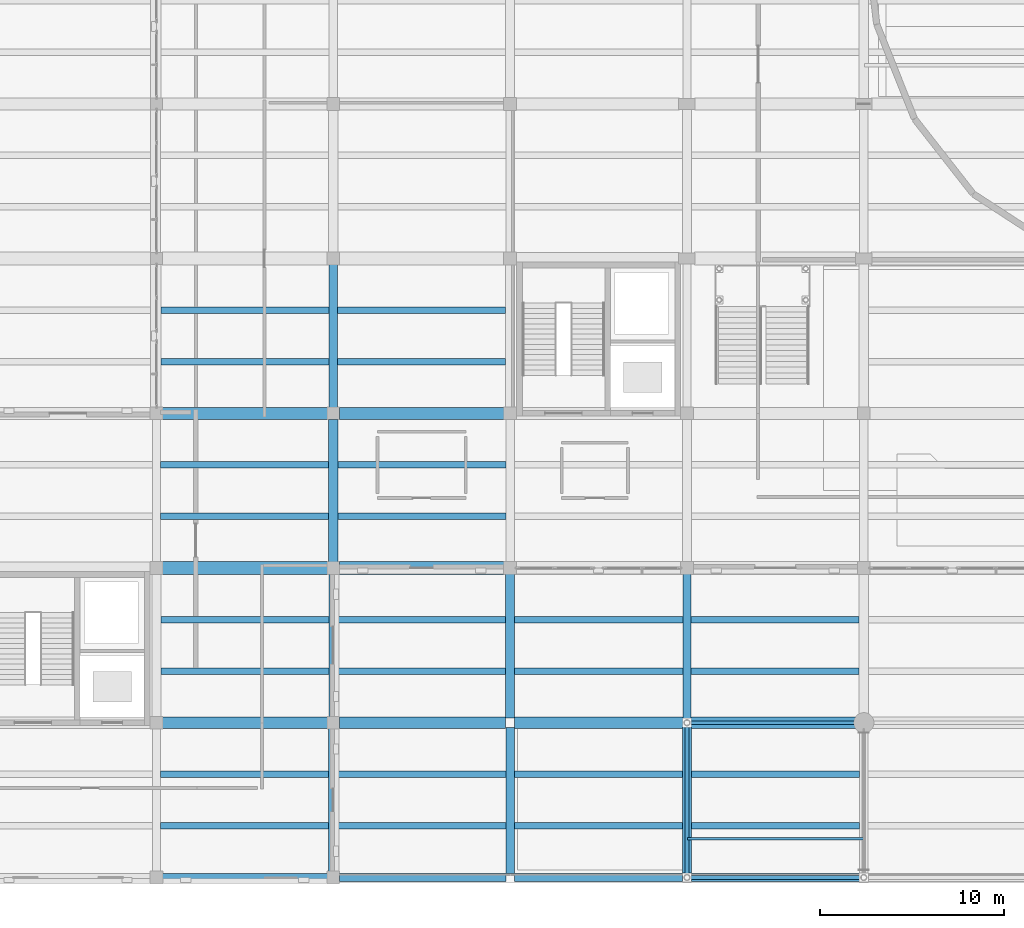
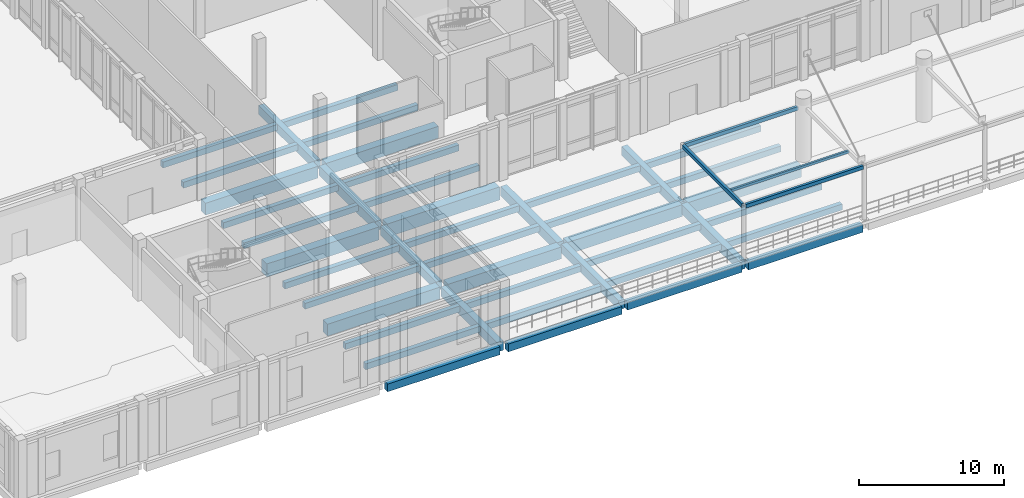
# One storey, part 15 of 71: 48 beams.
"""IFC4 building model written with IfcOpenShell, lengths in metres."""

from ifc_helpers import new_model, si_unit, direction, frame, origin, origin_2d, place, context, subcontext, project, spatial, rectangle, hollow_rectangle, extrude, material, material_profile, profile_set, type_object, element, save


model = new_model("IFC4")

# Units and contexts
model_context = context("Model", 3, precision=1e-05, world=origin(), true_north=direction((0.0, 1.0)))
body_context = subcontext(model_context, "Body", "Model", "MODEL_VIEW")
ifc_project = project(units=[si_unit("LENGTHUNIT", "METRE"), si_unit("AREAUNIT", "SQUARE_METRE"), si_unit("VOLUMEUNIT", "CUBIC_METRE"), si_unit("PLANEANGLEUNIT", "RADIAN"), si_unit("MASSUNIT", "GRAM", prefix="KILO")], contexts=[model_context])

# Site, building, storey
site_placement = place(None, origin())
site = spatial("IfcSite", under=ifc_project, at=site_placement, CompositionType="ELEMENT")
building_placement = place(site_placement, origin())
building = spatial("IfcBuilding", under=site, at=building_placement, Name="Lornevale Opera House", CompositionType="ELEMENT")
storey_placement = place(building_placement, origin())
storey = spatial("IfcBuildingStorey", under=building, at=storey_placement, Name="L01", CompositionType="ELEMENT", Elevation=0.0)

# Beams
ifc_material_1 = material(Name="Structural Steel CSA G40.21 Grade 350W (350 MPa)", Category="steel")
ifc_material_profile_1 = material_profile(ifc_material_1, hollow_rectangle(XDim=0.202880859375, YDim=0.304931640625, WallThickness=0.0126953125, at=origin_2d()), Name="HSS305x203x13")
ifc_profile_set_1 = profile_set([ifc_material_profile_1], Name="Structural Steel CSA G40.21 Grade 350W (350 MPa)")
beam_type_1 = type_object("IfcBeamType", Name="Canopy Edge Beam HSS305x203x13", PredefinedType="SPANDREL", material=ifc_profile_set_1)
beam_1_placement = place(storey_placement, frame((57.60009765625, 0.10009765625, 4.43994140625), z_axis=(0.0, 1.0, 0.0), x_axis=(-1.0, 0.0, 0.0)))
element("IfcBeam", 1, at=beam_1_placement, inside=storey, type_object=beam_type_1, Name="Canopy Edge Beam HSS305x203x13 2939", PredefinedType="SPANDREL", context=body_context, shape_type="SweptSolid", body=[
    extrude(hollow_rectangle(XDim=0.202880859375, YDim=0.304931640625, WallThickness=0.0126953125, at=origin_2d()), origin(), (0.0, 0.0, 1.0), 8.199951171875),
])
beam_2_placement = place(storey_placement, frame((57.719970703125, 0.0, 4.43994140625), z_axis=(1.0, 0.0, 0.0), x_axis=(0.0, 1.0, 0.0)))
element("IfcBeam", 2, at=beam_2_placement, inside=storey, type_object=beam_type_1, Name="Canopy Edge Beam HSS305x203x13 2940", PredefinedType="SPANDREL", context=body_context, shape_type="SweptSolid", body=[
    extrude(hollow_rectangle(XDim=0.202880859375, YDim=0.304931640625, WallThickness=0.0126953125, at=origin_2d()), origin(), (0.0, 0.0, 1.0), 9.360107421875),
])
beam_3_placement = place(storey_placement, frame((57.719970703125, 8.39990234375, 4.43994140625), z_axis=(1.0, 0.0, 0.0), x_axis=(0.0, 1.0, 0.0)))
element("IfcBeam", 3, at=beam_3_placement, inside=storey, type_object=beam_type_1, Name="Canopy Edge Beam HSS305x203x13 2941", PredefinedType="SPANDREL", context=body_context, shape_type="SweptSolid", body=[
    extrude(hollow_rectangle(XDim=0.202880859375, YDim=0.304931640625, WallThickness=0.0126953125, at=origin_2d()), origin(), (0.0, 0.0, 1.0), 9.030029296875),
])
ifc_material_profile_2 = material_profile(ifc_material_1, hollow_rectangle(XDim=0.152099609375, YDim=0.202880859375, WallThickness=0.009521484375, at=origin_2d()), Name="HSS203x152x10")
ifc_profile_set_2 = profile_set([ifc_material_profile_2], Name="Structural Steel CSA G40.21 Grade 350W (350 MPa)")
beam_type_2 = type_object("IfcBeamType", Name="Canopy Purlin HSS203x152x10", PredefinedType="JOIST", material=ifc_profile_set_2)
beam_4_placement = place(storey_placement, frame((57.6201171875, 2.10009765625, 4.43994140625), z_axis=(1.0, 0.0, 0.0), x_axis=(0.0, 1.0, 0.0)))
element("IfcBeam", 4, at=beam_4_placement, inside=storey, type_object=beam_type_2, Name="Canopy Purlin HSS203x152x10 3029", PredefinedType="JOIST", context=body_context, shape_type="SweptSolid", body=[
    extrude(hollow_rectangle(XDim=0.152099609375, YDim=0.202880859375, WallThickness=0.009521484375, at=origin_2d()), origin(), (0.0, 0.0, 1.0), 9.559814453125),
])
ifc_material_2 = material(Name="Concrete 35 MPa (CSA A23.1 N)", Category="concrete")
ifc_material_profile_3 = material_profile(ifc_material_2, rectangle(XDim=0.449951171875, YDim=0.75, at=origin_2d()), Name="RC450x750")
ifc_profile_set_3 = profile_set([ifc_material_profile_3], Name="Concrete 35 MPa (CSA A23.1 N)")
beam_type_3 = type_object("IfcBeamType", Name="Concrete Floor Beam 450x750", PredefinedType="USERDEFINED", material=ifc_profile_set_3)
for number, where, z_axis, x_axis, name in (
    (5, (38.39990234375, 8.72509765625, -0.81494140625), (0.0, 1.0, 0.0), (-1.0, 0.0, 0.0), "Concrete Floor Beam 450x750 1118"),
    (6, (38.39990234375, 25.52490234375, -0.81494140625), (0.0, 1.0, 0.0), (-1.0, 0.0, 0.0), "Concrete Floor Beam 450x750 1120"),
):
    element("IfcBeam", number, at=place(storey_placement, frame(where, z_axis=z_axis, x_axis=x_axis)), inside=storey, type_object=beam_type_3, Name=name, ObjectType="GIRDER", PredefinedType="USERDEFINED", context=body_context, shape_type="SweptSolid", body=[
        extrude(rectangle(XDim=0.449951171875, YDim=0.75, at=origin_2d()), origin(), (0.0, 0.0, 1.0), 7.75),
    ])
beam_5_placement = place(storey_placement, frame((48.0, 0.22509765625, -0.625), z_axis=(0.0, 1.0, 0.0), x_axis=(-1.0, 0.0, 0.0)))
element("IfcBeam", 7, at=beam_5_placement, inside=storey, type_object=beam_type_3, Name="Concrete Floor Beam 450x750 1131", ObjectType="GIRDER", PredefinedType="USERDEFINED", context=body_context, shape_type="SweptSolid", body=[
    extrude(rectangle(XDim=0.449951171875, YDim=0.75, at=origin_2d()), origin(), (0.0, 0.0, 1.0), 7.9248046875),
])
beam_6_placement = place(storey_placement, frame((57.60009765625, 8.625, -0.81494140625), z_axis=(0.0, 1.0, 0.0), x_axis=(-1.0, 0.0, 0.0)))
element("IfcBeam", 8, at=beam_6_placement, inside=storey, type_object=beam_type_3, Name="Concrete Floor Beam 450x750 1146", ObjectType="GIRDER", PredefinedType="USERDEFINED", context=body_context, shape_type="SweptSolid", body=[
    extrude(rectangle(XDim=0.449951171875, YDim=0.75, at=origin_2d()), origin(), (0.0, 0.0, 1.0), 7.85009765625),
])
ifc_material_profile_4 = material_profile(ifc_material_2, rectangle(XDim=0.5, YDim=0.800048828125, at=origin_2d()), Name="RC500x800")
ifc_profile_set_4 = profile_set([ifc_material_profile_4], Name="Concrete 35 MPa (CSA A23.1 N)")
beam_type_4 = type_object("IfcBeamType", Name="Concrete Floor Beam 500x800", PredefinedType="USERDEFINED", material=ifc_profile_set_4)
for number, where, z_axis, x_axis, name in (
    (9, (38.39990234375, 0.324951171875, -0.840087890625), (0.0, 1.0, 0.0), (-1.0, 0.0, 0.0), "Concrete Floor Beam 500x800 1117"),
    (10, (38.39990234375, 17.125, -0.840087890625), (0.0, 1.0, 0.0), (-1.0, 0.0, 0.0), "Concrete Floor Beam 500x800 1119"),
):
    element("IfcBeam", number, at=place(storey_placement, frame(where, z_axis=z_axis, x_axis=x_axis)), inside=storey, type_object=beam_type_4, Name=name, ObjectType="GIRDER", PredefinedType="USERDEFINED", context=body_context, shape_type="SweptSolid", body=[
        extrude(rectangle(XDim=0.5, YDim=0.800048828125, at=origin_2d()), origin(), (0.0, 0.0, 1.0), 7.75),
    ])
beam_7_placement = place(storey_placement, frame((48.0, 8.64990234375, -0.840087890625), z_axis=(0.0, 1.0, 0.0), x_axis=(-1.0, 0.0, 0.0)))
element("IfcBeam", 11, at=beam_7_placement, inside=storey, type_object=beam_type_4, Name="Concrete Floor Beam 500x800 1132", ObjectType="GIRDER", PredefinedType="USERDEFINED", context=body_context, shape_type="SweptSolid", body=[
    extrude(rectangle(XDim=0.5, YDim=0.800048828125, at=origin_2d()), origin(), (0.0, 0.0, 1.0), 7.8251953125),
])
beam_8_placement = place(storey_placement, frame((57.60009765625, 0.25, -0.64990234375), z_axis=(0.0, 1.0, 0.0), x_axis=(-1.0, 0.0, 0.0)))
element("IfcBeam", 12, at=beam_8_placement, inside=storey, type_object=beam_type_4, Name="Concrete Floor Beam 500x800 1145", ObjectType="GIRDER", PredefinedType="USERDEFINED", context=body_context, shape_type="SweptSolid", body=[
    extrude(rectangle(XDim=0.5, YDim=0.800048828125, at=origin_2d()), origin(), (0.0, 0.0, 1.0), 7.925048828125),
])
ifc_material_3 = material(Name="Concrete 40 MPa (CSA A23.1 C-1)", Category="concrete")
ifc_material_profile_5 = material_profile(ifc_material_3, rectangle(XDim=0.64990234375, YDim=1.0, at=origin_2d()), Name="RC650x1000")
ifc_profile_set_5 = profile_set([ifc_material_profile_5], Name="Concrete 40 MPa (CSA A23.1 C-1)")
beam_type_5 = type_object("IfcBeamType", Name="Concrete Primary Girder 650x1000", PredefinedType="USERDEFINED", material=ifc_profile_set_5)
beam_9_placement = place(storey_placement, frame((29.125, 8.39990234375, -0.93994140625), z_axis=(1.0, 0.0, 0.0), x_axis=(0.0, 1.0, 0.0)))
element("IfcBeam", 13, at=beam_9_placement, inside=storey, type_object=beam_type_5, Name="Concrete Primary Girder 650x1000 0859", ObjectType="GIRDER", PredefinedType="USERDEFINED", context=body_context, shape_type="SweptSolid", body=[
    extrude(rectangle(XDim=0.64990234375, YDim=1.0, at=origin_2d()), origin(), (0.0, 0.0, 1.0), 8.949951171875),
])
beam_10_placement = place(storey_placement, frame((38.72509765625, 8.39990234375, -0.93994140625), z_axis=(1.0, 0.0, 0.0), x_axis=(0.0, 1.0, 0.0)))
element("IfcBeam", 14, at=beam_10_placement, inside=storey, type_object=beam_type_5, Name="Concrete Primary Girder 650x1000 0860", ObjectType="GIRDER", PredefinedType="USERDEFINED", context=body_context, shape_type="SweptSolid", body=[
    extrude(rectangle(XDim=0.64990234375, YDim=1.0, at=origin_2d()), origin(), (0.0, 0.0, 1.0), 9.02490234375),
])
beam_11_placement = place(storey_placement, frame((48.25, 8.39990234375, -0.75), z_axis=(1.0, 0.0, 0.0), x_axis=(0.0, 1.0, 0.0)))
element("IfcBeam", 15, at=beam_11_placement, inside=storey, type_object=beam_type_5, Name="Concrete Primary Girder 650x1000 0861", ObjectType="GIRDER", PredefinedType="USERDEFINED", context=body_context, shape_type="SweptSolid", body=[
    extrude(rectangle(XDim=0.64990234375, YDim=1.0, at=origin_2d()), origin(), (0.0, 0.0, 1.0), 9.125),
])
beam_12_placement = place(storey_placement, frame((57.824951171875, 8.39990234375, -0.75), z_axis=(1.0, 0.0, 0.0), x_axis=(0.0, 1.0, 0.0)))
element("IfcBeam", 16, at=beam_12_placement, inside=storey, type_object=beam_type_5, Name="Concrete Primary Girder 650x1000 0862", ObjectType="GIRDER", PredefinedType="USERDEFINED", context=body_context, shape_type="SweptSolid", body=[
    extrude(rectangle(XDim=0.64990234375, YDim=1.0, at=origin_2d()), origin(), (0.0, 0.0, 1.0), 9.050048828125),
])
for number, where, z_axis, x_axis, name in (
    (17, (29.125, 25.199951171875, -0.93994140625), (1.0, 0.0, 0.0), (0.0, 1.0, 0.0), "Concrete Primary Girder 650x1000 0892"),
    (18, (38.72509765625, 25.199951171875, -0.93994140625), (1.0, 0.0, 0.0), (0.0, 1.0, 0.0), "Concrete Primary Girder 650x1000 0893"),
):
    element("IfcBeam", number, at=place(storey_placement, frame(where, z_axis=z_axis, x_axis=x_axis)), inside=storey, type_object=beam_type_5, Name=name, ObjectType="GIRDER", PredefinedType="USERDEFINED", context=body_context, shape_type="SweptSolid", body=[
        extrude(rectangle(XDim=0.64990234375, YDim=1.0, at=origin_2d()), origin(), (0.0, 0.0, 1.0), 8.949951171875),
    ])
ifc_material_profile_6 = material_profile(ifc_material_3, rectangle(XDim=0.699951171875, YDim=1.10009765625, at=origin_2d()), Name="RC700x1100")
ifc_profile_set_6 = profile_set([ifc_material_profile_6], Name="Concrete 40 MPa (CSA A23.1 C-1)")
beam_type_6 = type_object("IfcBeamType", Name="Concrete Primary Girder 700x1100", PredefinedType="USERDEFINED", material=ifc_profile_set_6)
for number, where, z_axis, x_axis, name in (
    (19, (29.125, 16.800048828125, -0.989990234375), (1.0, 0.0, 0.0), (0.0, 1.0, 0.0), "Concrete Primary Girder 700x1100 0875"),
    (20, (38.72509765625, 16.800048828125, -0.989990234375), (1.0, 0.0, 0.0), (0.0, 1.0, 0.0), "Concrete Primary Girder 700x1100 0876"),
):
    element("IfcBeam", number, at=place(storey_placement, frame(where, z_axis=z_axis, x_axis=x_axis)), inside=storey, type_object=beam_type_6, Name=name, ObjectType="GIRDER", PredefinedType="USERDEFINED", context=body_context, shape_type="SweptSolid", body=[
        extrude(rectangle(XDim=0.699951171875, YDim=1.10009765625, at=origin_2d()), origin(), (0.0, 0.0, 1.0), 8.949951171875),
    ])
ifc_material_profile_7 = material_profile(ifc_material_2, rectangle(XDim=0.35009765625, YDim=0.5, at=origin_2d()), Name="RC350x500")
ifc_profile_set_7 = profile_set([ifc_material_profile_7], Name="Concrete 35 MPa (CSA A23.1 N)")
beam_type_7 = type_object("IfcBeamType", Name="Concrete Secondary Rib 350x500", PredefinedType="JOIST", material=ifc_profile_set_7)
for number, where, z_axis, x_axis, name in (
    (21, (29.02490234375, 2.800048828125, -0.68994140625), (1.0, 0.0, 0.0), (0.0, 1.0, 0.0), "Concrete Secondary Rib 350x500 1359"),
    (22, (29.02490234375, 5.60009765625, -0.68994140625), (1.0, 0.0, 0.0), (0.0, 1.0, 0.0), "Concrete Secondary Rib 350x500 1360"),
    (23, (29.050048828125, 11.199951171875, -0.68994140625), (1.0, 0.0, 0.0), (0.0, 1.0, 0.0), "Concrete Secondary Rib 350x500 1361"),
    (24, (29.050048828125, 14.0, -0.68994140625), (1.0, 0.0, 0.0), (0.0, 1.0, 0.0), "Concrete Secondary Rib 350x500 1362"),
    (25, (29.02490234375, 19.60009765625, -0.68994140625), (1.0, 0.0, 0.0), (0.0, 1.0, 0.0), "Concrete Secondary Rib 350x500 1363"),
    (26, (29.02490234375, 22.39990234375, -0.68994140625), (1.0, 0.0, 0.0), (0.0, 1.0, 0.0), "Concrete Secondary Rib 350x500 1364"),
    (27, (29.050048828125, 28.0, -0.68994140625), (1.0, 0.0, 0.0), (0.0, 1.0, 0.0), "Concrete Secondary Rib 350x500 1365"),
    (28, (29.050048828125, 30.800048828125, -0.68994140625), (1.0, 0.0, 0.0), (0.0, 1.0, 0.0), "Concrete Secondary Rib 350x500 1366"),
    (29, (38.64990234375, 2.800048828125, -0.68994140625), (1.0, 0.0, 0.0), (0.0, 1.0, 0.0), "Concrete Secondary Rib 350x500 1383"),
    (30, (38.64990234375, 5.60009765625, -0.68994140625), (1.0, 0.0, 0.0), (0.0, 1.0, 0.0), "Concrete Secondary Rib 350x500 1384"),
    (31, (38.625, 11.199951171875, -0.68994140625), (1.0, 0.0, 0.0), (0.0, 1.0, 0.0), "Concrete Secondary Rib 350x500 1385"),
    (32, (38.625, 14.0, -0.68994140625), (1.0, 0.0, 0.0), (0.0, 1.0, 0.0), "Concrete Secondary Rib 350x500 1386"),
    (33, (38.64990234375, 19.60009765625, -0.68994140625), (1.0, 0.0, 0.0), (0.0, 1.0, 0.0), "Concrete Secondary Rib 350x500 1387"),
    (34, (38.64990234375, 22.39990234375, -0.68994140625), (1.0, 0.0, 0.0), (0.0, 1.0, 0.0), "Concrete Secondary Rib 350x500 1388"),
    (35, (38.625, 28.0, -0.68994140625), (1.0, 0.0, 0.0), (0.0, 1.0, 0.0), "Concrete Secondary Rib 350x500 1389"),
    (36, (38.625, 30.800048828125, -0.68994140625), (1.0, 0.0, 0.0), (0.0, 1.0, 0.0), "Concrete Secondary Rib 350x500 1390"),
    (37, (48.22509765625, 2.800048828125, -0.5), (1.0, 0.0, 0.0), (0.0, 1.0, 0.0), "Concrete Secondary Rib 350x500 1411"),
    (38, (48.22509765625, 5.60009765625, -0.5), (1.0, 0.0, 0.0), (0.0, 1.0, 0.0), "Concrete Secondary Rib 350x500 1412"),
    (39, (48.25, 11.199951171875, -0.68994140625), (1.0, 0.0, 0.0), (0.0, 1.0, 0.0), "Concrete Secondary Rib 350x500 1413"),
    (40, (48.25, 14.0, -0.68994140625), (1.0, 0.0, 0.0), (0.0, 1.0, 0.0), "Concrete Secondary Rib 350x500 1414"),
    (41, (57.85009765625, 2.800048828125, -0.5), (1.0, 0.0, 0.0), (0.0, 1.0, 0.0), "Concrete Secondary Rib 350x500 1437"),
    (42, (57.85009765625, 5.60009765625, -0.5), (1.0, 0.0, 0.0), (0.0, 1.0, 0.0), "Concrete Secondary Rib 350x500 1438"),
    (43, (57.824951171875, 11.199951171875, -0.68994140625), (1.0, 0.0, 0.0), (0.0, 1.0, 0.0), "Concrete Secondary Rib 350x500 1439"),
    (44, (57.824951171875, 14.0, -0.68994140625), (1.0, 0.0, 0.0), (0.0, 1.0, 0.0), "Concrete Secondary Rib 350x500 1440"),
):
    element("IfcBeam", number, at=place(storey_placement, frame(where, z_axis=z_axis, x_axis=x_axis)), inside=storey, type_object=beam_type_7, Name=name, PredefinedType="JOIST", context=body_context, shape_type="SweptSolid", body=[
        extrude(rectangle(XDim=0.35009765625, YDim=0.5, at=origin_2d()), origin(), (0.0, 0.0, 1.0), 9.125),
    ])
ifc_material_profile_8 = material_profile(ifc_material_2, rectangle(XDim=0.449951171875, YDim=0.64990234375, at=origin_2d()), Name="RC450x650")
ifc_profile_set_8 = profile_set([ifc_material_profile_8], Name="Concrete 35 MPa (CSA A23.1 N)")
beam_type_8 = type_object("IfcBeamType", Name="Concrete Spandrel Beam 450x650", PredefinedType="SPANDREL", material=ifc_profile_set_8)
beam_13_placement = place(storey_placement, frame((29.125, 0.0, -0.764892578125), z_axis=(1.0, 0.0, 0.0), x_axis=(0.0, 1.0, 0.0)))
element("IfcBeam", 45, at=beam_13_placement, inside=storey, type_object=beam_type_8, Name="Concrete Spandrel Beam 450x650 0846", PredefinedType="SPANDREL", context=body_context, shape_type="SweptSolid", body=[
    extrude(rectangle(XDim=0.449951171875, YDim=0.64990234375, at=origin_2d()), origin(), (0.0, 0.0, 1.0), 8.949951171875),
])
beam_14_placement = place(storey_placement, frame((38.72509765625, 0.0, -0.764892578125), z_axis=(1.0, 0.0, 0.0), x_axis=(0.0, 1.0, 0.0)))
element("IfcBeam", 46, at=beam_14_placement, inside=storey, type_object=beam_type_8, Name="Concrete Spandrel Beam 450x650 0847", PredefinedType="SPANDREL", context=body_context, shape_type="SweptSolid", body=[
    extrude(rectangle(XDim=0.449951171875, YDim=0.64990234375, at=origin_2d()), origin(), (0.0, 0.0, 1.0), 9.0498046875),
])
for number, where, z_axis, x_axis, name in (
    (47, (48.22509765625, 0.0, -0.574951171875), (1.0, 0.0, 0.0), (0.0, 1.0, 0.0), "Concrete Spandrel Beam 450x650 0848"),
    (48, (57.85009765625, 0.0, -0.574951171875), (1.0, 0.0, 0.0), (0.0, 1.0, 0.0), "Concrete Spandrel Beam 450x650 0849"),
):
    element("IfcBeam", number, at=place(storey_placement, frame(where, z_axis=z_axis, x_axis=x_axis)), inside=storey, type_object=beam_type_8, Name=name, PredefinedType="SPANDREL", context=body_context, shape_type="SweptSolid", body=[
        extrude(rectangle(XDim=0.449951171875, YDim=0.64990234375, at=origin_2d()), origin(), (0.0, 0.0, 1.0), 9.125),
    ])

save(model, "model.ifc")
